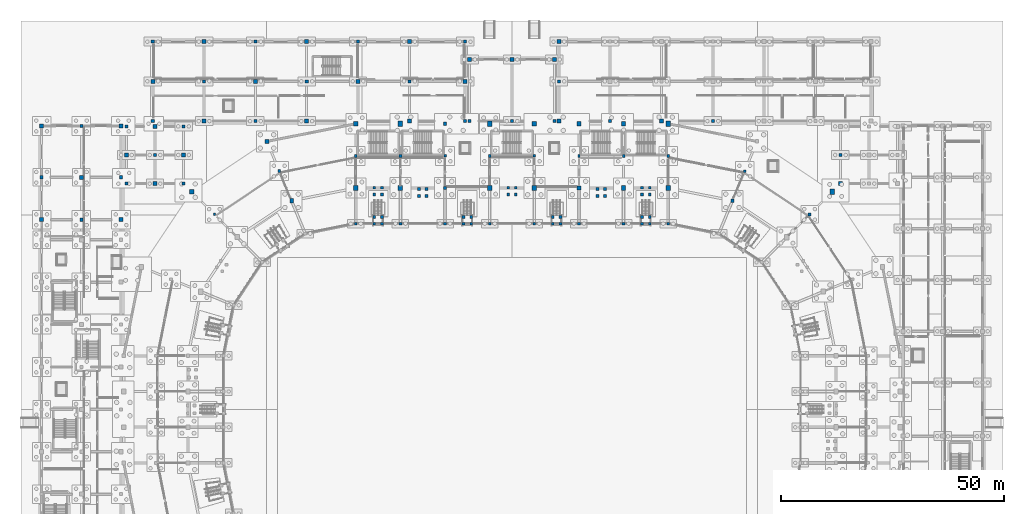
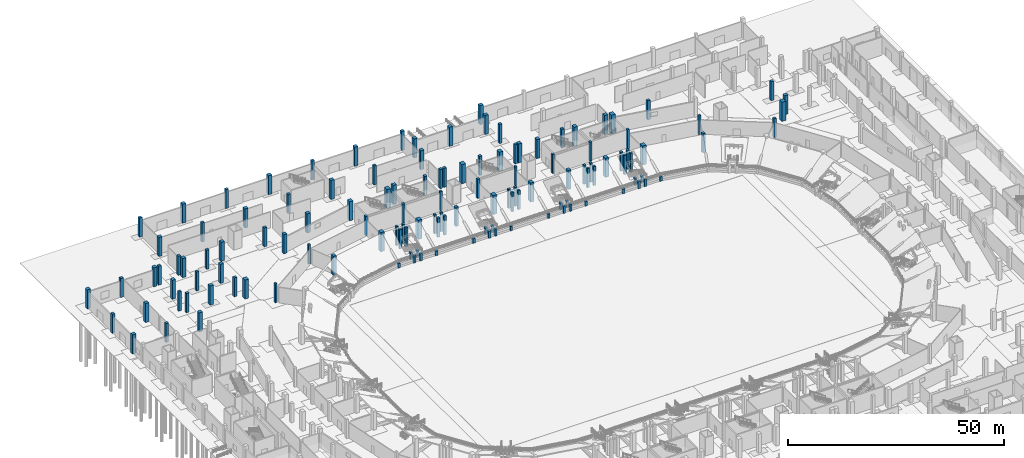
# One storey, part 17 of 68: 129 columns.
"""IFC4 building model written with IfcOpenShell, lengths in metres."""

from ifc_helpers import new_model, si_unit, direction, frame, origin, origin_2d, place, context, subcontext, project, spatial, rectangle, extrude, material, material_profile, profile_set, type_object, element, save


model = new_model("IFC4")

# Units and contexts
model_context = context("Model", 3, precision=1e-05, world=origin(), true_north=direction((0.0, 1.0)))
body_context = subcontext(model_context, "Body", "Model", "MODEL_VIEW")
ifc_project = project(units=[si_unit("LENGTHUNIT", "METRE"), si_unit("AREAUNIT", "SQUARE_METRE"), si_unit("VOLUMEUNIT", "CUBIC_METRE"), si_unit("PLANEANGLEUNIT", "RADIAN"), si_unit("MASSUNIT", "GRAM", prefix="KILO")], contexts=[model_context])

# Site, building, storey
site_placement = place(None, origin())
site = spatial("IfcSite", under=ifc_project, at=site_placement, CompositionType="ELEMENT")
building_placement = place(site_placement, origin())
building = spatial("IfcBuilding", under=site, at=building_placement, Name="Candeia Ridge Stadium", CompositionType="ELEMENT")
storey_placement = place(building_placement, origin())
storey = spatial("IfcBuildingStorey", under=building, at=storey_placement, Name="L00", CompositionType="ELEMENT", Elevation=0.0)

# Columns
ifc_material_1 = material(Name="Concrete C45/55", Category="concrete")
ifc_material_profile_1 = material_profile(ifc_material_1, rectangle(XDim=1.0, YDim=1.199951171875, at=origin_2d()), Name="RC1000x1200", Category="concrete")
ifc_profile_set_1 = profile_set([ifc_material_profile_1], Name="Concrete C45/55")
column_type_1 = type_object("IfcColumnType", Name="Bowl Spine Column RC1000x1200", PredefinedType="COLUMN", material=ifc_profile_set_1)
for number, where, z_axis, x_axis, name in (
    (1, (141.0, 132.60009765625, 0.0), (0.0, 0.0, 1.0), (1.0, 0.0, 0.0), "Structural column BC-MD-00 L00"),
    (2, (141.0, 147.0, 0.0), (0.0, 0.0, 1.0), (1.0, 0.0, 0.0), "Structural column BC-OU-00 L00"),
    (3, (101.0, 132.60009765625, 0.0), (0.0, 0.0, 1.0), (1.0, 0.0, 0.0), "Structural column BC-MD-04 L00"),
    (4, (101.0, 147.0, 0.0), (0.0, 0.0, 1.0), (1.0, 0.0, 0.0), "Structural column BC-OU-04 L00"),
    (5, (81.0, 132.60009765625, 0.0), (0.0, 0.0, 1.0), (1.0, 0.0, 0.0), "Structural column BC-MD-06 L00"),
    (6, (81.0, 147.0, 0.0), (0.0, 0.0, 1.0), (1.0, 0.0, 0.0), "Structural column BC-OU-06 L00"),
    (7, (177.76953125, 131.76953125, 0.0), (0.0, 0.0, 1.0), (1.0, 0.0, 0.0), "Structural column BC-OU-34 L00"),
):
    element("IfcColumn", number, at=place(storey_placement, frame(where, z_axis=z_axis, x_axis=x_axis)), inside=storey, type_object=column_type_1, Name=name, PredefinedType="COLUMN", context=body_context, shape_type="SweptSolid", body=[
        extrude(rectangle(XDim=1.0, YDim=1.199951171875, at=origin_2d()), origin(), (0.0, 0.0, 1.0), 5.39990234375),
    ])
ifc_material_profile_2 = material_profile(ifc_material_1, rectangle(XDim=0.89990234375, YDim=0.89990234375, at=origin_2d()), Name="RC900x900", Category="concrete")
ifc_profile_set_2 = profile_set([ifc_material_profile_2], Name="Concrete C45/55")
column_type_2 = type_object("IfcColumnType", Name="Bowl Spine Column RC900x900", PredefinedType="COLUMN", material=ifc_profile_set_2)
for number, where, z_axis, x_axis, name in (
    (8, (0.60009765625, 125.5, 0.0), (0.0, 0.0, 1.0), (1.0, 0.0, 0.0), "Structural column WP-00-12 L00"),
    (9, (0.60009765625, 146.5, 0.0), (0.0, 0.0, 1.0), (1.0, 0.0, 0.0), "Structural column WP-00-14 L00"),
    (10, (9.5, 135.0, 0.0), (0.0, 0.0, 1.0), (1.0, 0.0, 0.0), "Structural column WP-01-13 L00"),
    (11, (18.39990234375, 125.5, 0.0), (0.0, 0.0, 1.0), (1.0, 0.0, 0.0), "Structural column WP-02-12 L00"),
    (12, (18.39990234375, 146.5, 0.0), (0.0, 0.0, 1.0), (1.0, 0.0, 0.0), "Structural column WP-02-14 L00"),
    (13, (25.5, 156.5, 0.0), (0.0, 0.0, 1.0), (1.0, 0.0, 0.0), "Structural column NWW-00-01 L00"),
    (14, (37.0, 147.60009765625, 0.0), (0.0, 0.0, 1.0), (1.0, 0.0, 0.0), "Structural column NWW-01-00 L00"),
    (15, (37.0, 165.39990234375, 0.0), (0.0, 0.0, 1.0), (1.0, 0.0, 0.0), "Structural column NWW-01-02 L00"),
    (16, (48.5, 156.5, 0.0), (0.0, 0.0, 1.0), (1.0, 0.0, 0.0), "Structural column NWW-02-01 L00"),
    (17, (60.0, 147.60009765625, 0.0), (0.0, 0.0, 1.0), (1.0, 0.0, 0.0), "Structural column NWW-03-00 L00"),
    (18, (60.0, 165.39990234375, 0.0), (0.0, 0.0, 1.0), (1.0, 0.0, 0.0), "Structural column NWW-03-02 L00"),
    (19, (71.5, 156.5, 0.0), (0.0, 0.0, 1.0), (1.0, 0.0, 0.0), "Structural column NWW-04-01 L00"),
    (20, (83.0, 147.60009765625, 0.0), (0.0, 0.0, 1.0), (1.0, 0.0, 0.0), "Structural column NWW-05-00 L00"),
    (21, (83.0, 165.39990234375, 0.0), (0.0, 0.0, 1.0), (1.0, 0.0, 0.0), "Structural column NWW-05-02 L00"),
    (22, (95.5, 156.5, 0.0), (0.0, 0.0, 1.0), (1.0, 0.0, 0.0), "Structural column NWW-06-01 L00"),
    (23, (116.5, 147.60009765625, 0.0), (0.0, 0.0, 1.0), (1.0, 0.0, 0.0), "Structural column NWE-00-00 L00"),
    (24, (116.5, 165.39990234375, 0.0), (0.0, 0.0, 1.0), (1.0, 0.0, 0.0), "Structural column NWE-00-02 L00"),
    (25, (139.5, 147.60009765625, 0.0), (0.0, 0.0, 1.0), (1.0, 0.0, 0.0), "Structural column NWE-02-00 L00"),
    (26, (96.5, 161.39990234375, 0.0), (0.0, 0.0, 1.0), (1.0, 0.0, 0.0), "Structural column NG-00-01 L00"),
    (27, (106.0, 161.39990234375, 0.0), (0.0, 0.0, 1.0), (1.0, 0.0, 0.0), "Structural column NG-01-01 L00"),
    (28, (115.5, 161.39990234375, 0.0), (0.0, 0.0, 1.0), (1.0, 0.0, 0.0), "Structural column NG-02-01 L00"),
    (29, (19.60009765625, 140.0, 0.0), (0.0, 0.0, 1.0), (1.0, 0.0, 0.0), "Structural column SPNW-00-01 L00"),
    (30, (26.0, 133.60009765625, 0.0), (0.0, 0.0, 1.0), (1.0, 0.0, 0.0), "Structural column SPNW-01-00 L00"),
    (31, (26.0, 146.39990234375, 0.0), (0.0, 0.0, 1.0), (1.0, 0.0, 0.0), "Structural column SPNW-01-02 L00"),
    (32, (32.39990234375, 140.0, 0.0), (0.0, 0.0, 1.0), (1.0, 0.0, 0.0), "Structural column SPNW-02-01 L00"),
    (33, (179.60009765625, 133.60009765625, 0.0), (0.0, 0.0, 1.0), (1.0, 0.0, 0.0), "Structural column SPNE-00-00 L00"),
):
    element("IfcColumn", number, at=place(storey_placement, frame(where, z_axis=z_axis, x_axis=x_axis)), inside=storey, type_object=column_type_2, Name=name, PredefinedType="COLUMN", context=body_context, shape_type="SweptSolid", body=[
        extrude(rectangle(XDim=0.89990234375, YDim=0.89990234375, at=origin_2d()), origin(), (0.0, 0.0, 1.0), 5.39990234375),
    ])
ifc_material_2 = material(Name="Concrete C40/50", Category="concrete")
ifc_material_profile_3 = material_profile(ifc_material_2, rectangle(XDim=0.47998046875, YDim=0.56005859375, at=origin_2d()), Name="RC480x560", Category="concrete")
ifc_profile_set_3 = profile_set([ifc_material_profile_3], Name="Concrete C40/50")
column_type_3 = type_object("IfcColumnType", Name="Graduated Frame Column RC480x560", PredefinedType="COLUMN", material=ifc_profile_set_3)
for number, where, z_axis, x_axis, name in (
    (34, (111.0, 139.800048828125, 0.0), (0.0, 0.0, 1.0), (1.0, 0.0, 0.0), "Structural column BC-M2-03 L00"),
    (35, (39.321533203125, 126.678466796875, 0.0), (0.0, 0.0, 1.0), (1.0, 0.0, 0.0), "Structural column BC-M2-09 L00"),
):
    element("IfcColumn", number, at=place(storey_placement, frame(where, z_axis=z_axis, x_axis=x_axis)), inside=storey, type_object=column_type_3, Name=name, PredefinedType="COLUMN", context=body_context, shape_type="SweptSolid", body=[
        extrude(rectangle(XDim=0.47998046875, YDim=0.56005859375, at=origin_2d()), origin(), (0.0, 0.0, 1.0), 5.39990234375),
    ])
ifc_material_profile_4 = material_profile(ifc_material_2, rectangle(XDim=0.52001953125, YDim=0.6201171875, at=origin_2d()), Name="RC520x620", Category="concrete")
ifc_profile_set_4 = profile_set([ifc_material_profile_4], Name="Concrete C40/50")
column_type_4 = type_object("IfcColumnType", Name="Graduated Frame Column RC520x620", PredefinedType="COLUMN", material=ifc_profile_set_4)
for number, where, z_axis, x_axis, name in (
    (36, (121.0, 139.800048828125, 0.0), (0.0, 0.0, 1.0), (1.0, 0.0, 0.0), "Structural column BC-M2-02 L00"),
    (37, (53.855712890625, 136.389892578125, 0.0), (0.0, 0.0, 1.0), (1.0, 0.0, 0.0), "Structural column BC-M2-08 L00"),
):
    element("IfcColumn", number, at=place(storey_placement, frame(where, z_axis=z_axis, x_axis=x_axis)), inside=storey, type_object=column_type_4, Name=name, PredefinedType="COLUMN", context=body_context, shape_type="SweptSolid", body=[
        extrude(rectangle(XDim=0.52001953125, YDim=0.6201171875, at=origin_2d()), origin(), (0.0, 0.0, 1.0), 5.39990234375),
    ])
ifc_material_profile_5 = material_profile(ifc_material_2, rectangle(XDim=0.580078125, YDim=0.580078125, at=origin_2d()), Name="RC580x580", Category="concrete")
ifc_profile_set_5 = profile_set([ifc_material_profile_5], Name="Concrete C40/50")
column_type_5 = type_object("IfcColumnType", Name="Graduated Frame Column RC580x580", PredefinedType="COLUMN", material=ifc_profile_set_5)
for number, where, z_axis, x_axis, name in (
    (38, (91.0, 139.800048828125, 0.0), (0.0, 0.0, 1.0), (1.0, 0.0, 0.0), "Structural column BC-M2-05 L00"),
    (39, (158.144287109375, 136.389892578125, 0.0), (0.0, 0.0, 1.0), (1.0, 0.0, 0.0), "Structural column BC-M2-35 L00"),
):
    element("IfcColumn", number, at=place(storey_placement, frame(where, z_axis=z_axis, x_axis=x_axis)), inside=storey, type_object=column_type_5, Name=name, PredefinedType="COLUMN", context=body_context, shape_type="SweptSolid", body=[
        extrude(rectangle(XDim=0.580078125, YDim=0.580078125, at=origin_2d()), origin(), (0.0, 0.0, 1.0), 5.39990234375),
    ])
ifc_material_profile_6 = material_profile(ifc_material_2, rectangle(XDim=0.580078125, YDim=0.679931640625, at=origin_2d()), Name="RC580x680", Category="concrete")
ifc_profile_set_6 = profile_set([ifc_material_profile_6], Name="Concrete C40/50")
column_type_6 = type_object("IfcColumnType", Name="Graduated Frame Column RC580x680", PredefinedType="COLUMN", material=ifc_profile_set_6)
for number, where, z_axis, x_axis, name in (
    (40, (131.0, 139.800048828125, 0.0), (0.0, 0.0, 1.0), (1.0, 0.0, 0.0), "Structural column BC-M2-01 L00"),
    (41, (71.0, 139.800048828125, 0.0), (0.0, 0.0, 1.0), (1.0, 0.0, 0.0), "Structural column BC-M2-07 L00"),
):
    element("IfcColumn", number, at=place(storey_placement, frame(where, z_axis=z_axis, x_axis=x_axis)), inside=storey, type_object=column_type_6, Name=name, PredefinedType="COLUMN", context=body_context, shape_type="SweptSolid", body=[
        extrude(rectangle(XDim=0.580078125, YDim=0.679931640625, at=origin_2d()), origin(), (0.0, 0.0, 1.0), 5.39990234375),
    ])
ifc_material_profile_7 = material_profile(ifc_material_2, rectangle(XDim=0.6201171875, YDim=0.6201171875, at=origin_2d()), Name="RC620x620", Category="concrete")
ifc_profile_set_7 = profile_set([ifc_material_profile_7], Name="Concrete C40/50")
column_type_7 = type_object("IfcColumnType", Name="Graduated Frame Column RC620x620", PredefinedType="COLUMN", material=ifc_profile_set_7)
for number, where, z_axis, x_axis, name in (
    (42, (101.0, 139.800048828125, 0.0), (0.0, 0.0, 1.0), (1.0, 0.0, 0.0), "Structural column BC-M2-04 L00"),
    (43, (172.678466796875, 126.678466796875, 0.0), (0.0, 0.0, 1.0), (1.0, 0.0, 0.0), "Structural column BC-M2-34 L00"),
):
    element("IfcColumn", number, at=place(storey_placement, frame(where, z_axis=z_axis, x_axis=x_axis)), inside=storey, type_object=column_type_7, Name=name, PredefinedType="COLUMN", context=body_context, shape_type="SweptSolid", body=[
        extrude(rectangle(XDim=0.6201171875, YDim=0.6201171875, at=origin_2d()), origin(), (0.0, 0.0, 1.0), 5.39990234375),
    ])
ifc_material_profile_8 = material_profile(ifc_material_2, rectangle(XDim=0.6201171875, YDim=0.719970703125, at=origin_2d()), Name="RC620x720", Category="concrete")
ifc_profile_set_8 = profile_set([ifc_material_profile_8], Name="Concrete C40/50")
column_type_8 = type_object("IfcColumnType", Name="Graduated Frame Column RC620x720", PredefinedType="COLUMN", material=ifc_profile_set_8)
for number, where, z_axis, x_axis, name in (
    (44, (141.0, 139.800048828125, 0.0), (0.0, 0.0, 1.0), (1.0, 0.0, 0.0), "Structural column BC-M2-00 L00"),
    (45, (81.0, 139.800048828125, 0.0), (0.0, 0.0, 1.0), (1.0, 0.0, 0.0), "Structural column BC-M2-06 L00"),
):
    element("IfcColumn", number, at=place(storey_placement, frame(where, z_axis=z_axis, x_axis=x_axis)), inside=storey, type_object=column_type_8, Name=name, PredefinedType="COLUMN", context=body_context, shape_type="SweptSolid", body=[
        extrude(rectangle(XDim=0.6201171875, YDim=0.719970703125, at=origin_2d()), origin(), (0.0, 0.0, 1.0), 5.39990234375),
    ])
ifc_material_profile_9 = material_profile(ifc_material_2, rectangle(XDim=0.679931640625, YDim=0.760009765625, at=origin_2d()), Name="RC680x760", Category="concrete")
ifc_profile_set_9 = profile_set([ifc_material_profile_9], Name="Concrete C40/50")
column_type_9 = type_object("IfcColumnType", Name="Graduated Frame Column RC680x760", PredefinedType="COLUMN", material=ifc_profile_set_9)
for number, where, z_axis, x_axis, name in (
    (46, (91.0, 132.60009765625, 0.0), (0.0, 0.0, 1.0), (1.0, 0.0, 0.0), "Structural column BC-MD-05 L00"),
    (47, (91.0, 147.0, 0.0), (0.0, 0.0, 1.0), (1.0, 0.0, 0.0), "Structural column BC-OU-05 L00"),
    (48, (155.388916015625, 129.73779296875, 0.0), (0.0, 0.0, 1.0), (1.0, 0.0, 0.0), "Structural column BC-MD-35 L00"),
):
    element("IfcColumn", number, at=place(storey_placement, frame(where, z_axis=z_axis, x_axis=x_axis)), inside=storey, type_object=column_type_9, Name=name, PredefinedType="COLUMN", context=body_context, shape_type="SweptSolid", body=[
        extrude(rectangle(XDim=0.679931640625, YDim=0.760009765625, at=origin_2d()), origin(), (0.0, 0.0, 1.0), 5.39990234375),
    ])
ifc_material_profile_10 = material_profile(ifc_material_1, rectangle(XDim=0.820068359375, YDim=0.949951171875, at=origin_2d()), Name="RC820x950", Category="concrete")
ifc_profile_set_10 = profile_set([ifc_material_profile_10], Name="Concrete C45/55")
column_type_10 = type_object("IfcColumnType", Name="Graduated Frame Column RC820x950", PredefinedType="COLUMN", material=ifc_profile_set_10)
for number, where, z_axis, x_axis, name in (
    (49, (121.0, 132.60009765625, 0.0), (0.0, 0.0, 1.0), (1.0, 0.0, 0.0), "Structural column BC-MD-02 L00"),
    (50, (121.0, 147.0, 0.0), (0.0, 0.0, 1.0), (1.0, 0.0, 0.0), "Structural column BC-OU-02 L00"),
    (51, (56.611083984375, 129.73779296875, 0.0), (0.0, 0.0, 1.0), (1.0, 0.0, 0.0), "Structural column BC-MD-08 L00"),
    (52, (51.100341796875, 143.041748046875, 0.0), (0.0, 0.0, 1.0), (1.0, 0.0, 0.0), "Structural column BC-OU-08 L00"),
):
    element("IfcColumn", number, at=place(storey_placement, frame(where, z_axis=z_axis, x_axis=x_axis)), inside=storey, type_object=column_type_10, Name=name, PredefinedType="COLUMN", context=body_context, shape_type="SweptSolid", body=[
        extrude(rectangle(XDim=0.820068359375, YDim=0.949951171875, at=origin_2d()), origin(), (0.0, 0.0, 1.0), 5.39990234375),
    ])
ifc_material_profile_11 = material_profile(ifc_material_1, rectangle(XDim=0.949951171875, YDim=1.10009765625, at=origin_2d()), Name="RC950x1100", Category="concrete")
ifc_profile_set_11 = profile_set([ifc_material_profile_11], Name="Concrete C45/55")
column_type_11 = type_object("IfcColumnType", Name="Reinforced Concrete Column RC950x1100", PredefinedType="COLUMN", material=ifc_profile_set_11)
for number, where, z_axis, x_axis, name in (
    (53, (131.0, 132.60009765625, 0.0), (0.0, 0.0, 1.0), (1.0, 0.0, 0.0), "Structural column BC-MD-01 L00"),
    (54, (131.0, 147.0, 0.0), (0.0, 0.0, 1.0), (1.0, 0.0, 0.0), "Structural column BC-OU-01 L00"),
    (55, (111.0, 132.60009765625, 0.0), (0.0, 0.0, 1.0), (1.0, 0.0, 0.0), "Structural column BC-MD-03 L00"),
    (56, (111.0, 147.0, 0.0), (0.0, 0.0, 1.0), (1.0, 0.0, 0.0), "Structural column BC-OU-03 L00"),
    (57, (71.0, 132.60009765625, 0.0), (0.0, 0.0, 1.0), (1.0, 0.0, 0.0), "Structural column BC-MD-07 L00"),
    (58, (71.0, 147.0, 0.0), (0.0, 0.0, 1.0), (1.0, 0.0, 0.0), "Structural column BC-OU-07 L00"),
    (59, (34.23046875, 131.76953125, 0.0), (0.0, 0.0, 1.0), (1.0, 0.0, 0.0), "Structural column BC-OU-09 L00"),
):
    element("IfcColumn", number, at=place(storey_placement, frame(where, z_axis=z_axis, x_axis=x_axis)), inside=storey, type_object=column_type_11, Name=name, PredefinedType="COLUMN", context=body_context, shape_type="SweptSolid", body=[
        extrude(rectangle(XDim=0.949951171875, YDim=1.10009765625, at=origin_2d()), origin(), (0.0, 0.0, 1.0), 5.39990234375),
    ])
ifc_material_profile_12 = material_profile(ifc_material_2, rectangle(XDim=0.60009765625, YDim=0.60009765625, at=origin_2d()), Name="RC600x600", Category="concrete")
ifc_profile_set_12 = profile_set([ifc_material_profile_12], Name="Concrete C40/50")
column_type_12 = type_object("IfcColumnType", Name="Wing Column RC600x600", PredefinedType="COLUMN", material=ifc_profile_set_12)
for number, where, z_axis, x_axis, name in (
    (60, (141.0, 124.60009765625, 0.0), (0.0, 0.0, 1.0), (1.0, 0.0, 0.0), "Inner stand support column BC-IN-00"),
    (61, (131.0, 124.60009765625, 0.0), (0.0, 0.0, 1.0), (1.0, 0.0, 0.0), "Inner stand support column BC-IN-01"),
    (62, (121.0, 124.60009765625, 0.0), (0.0, 0.0, 1.0), (1.0, 0.0, 0.0), "Inner stand support column BC-IN-02"),
    (63, (111.0, 124.60009765625, 0.0), (0.0, 0.0, 1.0), (1.0, 0.0, 0.0), "Inner stand support column BC-IN-03"),
    (64, (101.0, 124.60009765625, 0.0), (0.0, 0.0, 1.0), (1.0, 0.0, 0.0), "Inner stand support column BC-IN-04"),
    (65, (91.0, 124.60009765625, 0.0), (0.0, 0.0, 1.0), (1.0, 0.0, 0.0), "Inner stand support column BC-IN-05"),
    (66, (81.0, 124.60009765625, 0.0), (0.0, 0.0, 1.0), (1.0, 0.0, 0.0), "Inner stand support column BC-IN-06"),
    (67, (71.0, 124.60009765625, 0.0), (0.0, 0.0, 1.0), (1.0, 0.0, 0.0), "Inner stand support column BC-IN-07"),
):
    element("IfcColumn", number, at=place(storey_placement, frame(where, z_axis=z_axis, x_axis=x_axis)), inside=storey, type_object=column_type_12, Name=name, PredefinedType="COLUMN", context=body_context, shape_type="SweptSolid", body=[
        extrude(rectangle(XDim=0.60009765625, YDim=0.60009765625, at=origin_2d()), origin(), (0.0, 0.0, 1.0), 1.25),
    ])
for number, where, z_axis, x_axis, name in (
    (68, (135.14990234375, 126.1220703125, 0.0), (0.0, 0.0, 1.0), (1.0, 0.0, 0.0), "Vomitory VS01 landing support column 1 L00"),
    (69, (135.14990234375, 124.572021484375, 0.0), (0.0, 0.0, 1.0), (1.0, 0.0, 0.0), "Vomitory VS01 landing support column 2 L00"),
    (70, (136.85009765625, 124.572021484375, 0.0), (0.0, 0.0, 1.0), (1.0, 0.0, 0.0), "Vomitory VS01 landing support column 3 L00"),
    (71, (136.85009765625, 126.1220703125, 0.0), (0.0, 0.0, 1.0), (1.0, 0.0, 0.0), "Vomitory VS01 landing support column 4 L00"),
    (72, (115.14990234375, 126.1220703125, 0.0), (0.0, 0.0, 1.0), (1.0, 0.0, 0.0), "Vomitory VS02 landing support column 1 L00"),
    (73, (115.14990234375, 124.572021484375, 0.0), (0.0, 0.0, 1.0), (1.0, 0.0, 0.0), "Vomitory VS02 landing support column 2 L00"),
    (74, (116.85009765625, 124.572021484375, 0.0), (0.0, 0.0, 1.0), (1.0, 0.0, 0.0), "Vomitory VS02 landing support column 3 L00"),
    (75, (116.85009765625, 126.1220703125, 0.0), (0.0, 0.0, 1.0), (1.0, 0.0, 0.0), "Vomitory VS02 landing support column 4 L00"),
    (76, (95.14990234375, 126.1220703125, 0.0), (0.0, 0.0, 1.0), (1.0, 0.0, 0.0), "Vomitory VS03 landing support column 1 L00"),
    (77, (95.14990234375, 124.572021484375, 0.0), (0.0, 0.0, 1.0), (1.0, 0.0, 0.0), "Vomitory VS03 landing support column 2 L00"),
    (78, (96.85009765625, 124.572021484375, 0.0), (0.0, 0.0, 1.0), (1.0, 0.0, 0.0), "Vomitory VS03 landing support column 3 L00"),
    (79, (96.85009765625, 126.1220703125, 0.0), (0.0, 0.0, 1.0), (1.0, 0.0, 0.0), "Vomitory VS03 landing support column 4 L00"),
    (80, (75.14990234375, 126.1220703125, 0.0), (0.0, 0.0, 1.0), (1.0, 0.0, 0.0), "Vomitory VS04 landing support column 1 L00"),
    (81, (75.14990234375, 124.572021484375, 0.0), (0.0, 0.0, 1.0), (1.0, 0.0, 0.0), "Vomitory VS04 landing support column 2 L00"),
    (82, (76.85009765625, 124.572021484375, 0.0), (0.0, 0.0, 1.0), (1.0, 0.0, 0.0), "Vomitory VS04 landing support column 3 L00"),
    (83, (76.85009765625, 126.1220703125, 0.0), (0.0, 0.0, 1.0), (1.0, 0.0, 0.0), "Vomitory VS04 landing support column 4 L00"),
):
    element("IfcColumn", number, at=place(storey_placement, frame(where, z_axis=z_axis, x_axis=x_axis)), inside=storey, type_object=column_type_12, Name=name, PredefinedType="COLUMN", context=body_context, shape_type="SweptSolid", body=[
        extrude(rectangle(XDim=0.60009765625, YDim=0.60009765625, at=origin_2d()), origin(), (0.0, 0.0, 1.0), 2.0400390625),
    ])
for number, where, z_axis, x_axis, name in (
    (84, (125.14990234375, 132.3701171875, 0.0), (0.0, 0.0, 1.0), (1.0, 0.0, 0.0), "Vomitory VS19 landing support column 1 L00"),
    (85, (125.14990234375, 130.820068359375, 0.0), (0.0, 0.0, 1.0), (1.0, 0.0, 0.0), "Vomitory VS19 landing support column 2 L00"),
    (86, (126.85009765625, 130.820068359375, 0.0), (0.0, 0.0, 1.0), (1.0, 0.0, 0.0), "Vomitory VS19 landing support column 3 L00"),
    (87, (126.85009765625, 132.3701171875, 0.0), (0.0, 0.0, 1.0), (1.0, 0.0, 0.0), "Vomitory VS19 landing support column 4 L00"),
    (88, (85.14990234375, 132.3701171875, 0.0), (0.0, 0.0, 1.0), (1.0, 0.0, 0.0), "Vomitory VS20 landing support column 1 L00"),
    (89, (85.14990234375, 130.820068359375, 0.0), (0.0, 0.0, 1.0), (1.0, 0.0, 0.0), "Vomitory VS20 landing support column 2 L00"),
    (90, (86.85009765625, 130.820068359375, 0.0), (0.0, 0.0, 1.0), (1.0, 0.0, 0.0), "Vomitory VS20 landing support column 3 L00"),
    (91, (86.85009765625, 132.3701171875, 0.0), (0.0, 0.0, 1.0), (1.0, 0.0, 0.0), "Vomitory VS20 landing support column 4 L00"),
    (92, (135.14990234375, 132.681884765625, 0.0), (0.0, 0.0, 1.0), (1.0, 0.0, 0.0), "Vomitory VS25 landing support column 1 L00"),
    (93, (135.14990234375, 131.132080078125, 0.0), (0.0, 0.0, 1.0), (1.0, 0.0, 0.0), "Vomitory VS25 landing support column 2 L00"),
    (94, (136.85009765625, 131.132080078125, 0.0), (0.0, 0.0, 1.0), (1.0, 0.0, 0.0), "Vomitory VS25 landing support column 3 L00"),
    (95, (136.85009765625, 132.681884765625, 0.0), (0.0, 0.0, 1.0), (1.0, 0.0, 0.0), "Vomitory VS25 landing support column 4 L00"),
    (96, (105.14990234375, 132.681884765625, 0.0), (0.0, 0.0, 1.0), (1.0, 0.0, 0.0), "Vomitory VS26 landing support column 1 L00"),
    (97, (105.14990234375, 131.132080078125, 0.0), (0.0, 0.0, 1.0), (1.0, 0.0, 0.0), "Vomitory VS26 landing support column 2 L00"),
    (98, (106.85009765625, 131.132080078125, 0.0), (0.0, 0.0, 1.0), (1.0, 0.0, 0.0), "Vomitory VS26 landing support column 3 L00"),
    (99, (106.85009765625, 132.681884765625, 0.0), (0.0, 0.0, 1.0), (1.0, 0.0, 0.0), "Vomitory VS26 landing support column 4 L00"),
    (100, (75.14990234375, 132.681884765625, 0.0), (0.0, 0.0, 1.0), (1.0, 0.0, 0.0), "Vomitory VS27 landing support column 1 L00"),
    (101, (75.14990234375, 131.132080078125, 0.0), (0.0, 0.0, 1.0), (1.0, 0.0, 0.0), "Vomitory VS27 landing support column 2 L00"),
    (102, (76.85009765625, 131.132080078125, 0.0), (0.0, 0.0, 1.0), (1.0, 0.0, 0.0), "Vomitory VS27 landing support column 3 L00"),
    (103, (76.85009765625, 132.681884765625, 0.0), (0.0, 0.0, 1.0), (1.0, 0.0, 0.0), "Vomitory VS27 landing support column 4 L00"),
):
    element("IfcColumn", number, at=place(storey_placement, frame(where, z_axis=z_axis, x_axis=x_axis)), inside=storey, type_object=column_type_12, Name=name, PredefinedType="COLUMN", context=body_context, shape_type="SweptSolid", body=[
        extrude(rectangle(XDim=0.60009765625, YDim=0.60009765625, at=origin_2d()), origin(), (0.0, 0.0, 1.0), 5.39990234375),
    ])
ifc_material_profile_13 = material_profile(ifc_material_2, rectangle(XDim=0.699951171875, YDim=0.699951171875, at=origin_2d()), Name="RC700x700", Category="concrete")
ifc_profile_set_13 = profile_set([ifc_material_profile_13], Name="Concrete C40/50")
column_type_13 = type_object("IfcColumnType", Name="Wing Column RC700x700", PredefinedType="COLUMN", material=ifc_profile_set_13)
for number, where, z_axis, x_axis, name in (
    (104, (0.60009765625, 135.0, 0.0), (0.0, 0.0, 1.0), (1.0, 0.0, 0.0), "Structural column WP-00-13 L00"),
    (105, (9.5, 125.5, 0.0), (0.0, 0.0, 1.0), (1.0, 0.0, 0.0), "Structural column WP-01-12 L00"),
    (106, (9.5, 146.5, 0.0), (0.0, 0.0, 1.0), (1.0, 0.0, 0.0), "Structural column WP-01-14 L00"),
    (107, (18.39990234375, 135.0, 0.0), (0.0, 0.0, 1.0), (1.0, 0.0, 0.0), "Structural column WP-02-13 L00"),
    (108, (25.5, 147.60009765625, 0.0), (0.0, 0.0, 1.0), (1.0, 0.0, 0.0), "Structural column NWW-00-00 L00"),
    (109, (25.5, 165.39990234375, 0.0), (0.0, 0.0, 1.0), (1.0, 0.0, 0.0), "Structural column NWW-00-02 L00"),
    (110, (37.0, 156.5, 0.0), (0.0, 0.0, 1.0), (1.0, 0.0, 0.0), "Structural column NWW-01-01 L00"),
    (111, (48.5, 147.60009765625, 0.0), (0.0, 0.0, 1.0), (1.0, 0.0, 0.0), "Structural column NWW-02-00 L00"),
    (112, (48.5, 165.39990234375, 0.0), (0.0, 0.0, 1.0), (1.0, 0.0, 0.0), "Structural column NWW-02-02 L00"),
    (113, (60.0, 156.5, 0.0), (0.0, 0.0, 1.0), (1.0, 0.0, 0.0), "Structural column NWW-03-01 L00"),
    (114, (71.5, 165.39990234375, 0.0), (0.0, 0.0, 1.0), (1.0, 0.0, 0.0), "Structural column NWW-04-02 L00"),
    (115, (83.0, 156.5, 0.0), (0.0, 0.0, 1.0), (1.0, 0.0, 0.0), "Structural column NWW-05-01 L00"),
    (116, (95.5, 147.60009765625, 0.0), (0.0, 0.0, 1.0), (1.0, 0.0, 0.0), "Structural column NWW-06-00 L00"),
    (117, (95.5, 165.39990234375, 0.0), (0.0, 0.0, 1.0), (1.0, 0.0, 0.0), "Structural column NWW-06-02 L00"),
    (118, (116.5, 156.5, 0.0), (0.0, 0.0, 1.0), (1.0, 0.0, 0.0), "Structural column NWE-00-01 L00"),
    (119, (128.0, 147.60009765625, 0.0), (0.0, 0.0, 1.0), (1.0, 0.0, 0.0), "Structural column NWE-01-00 L00"),
    (120, (151.0, 147.60009765625, 0.0), (0.0, 0.0, 1.0), (1.0, 0.0, 0.0), "Structural column NWE-03-00 L00"),
    (121, (96.5, 147.60009765625, 0.0), (0.0, 0.0, 1.0), (1.0, 0.0, 0.0), "Structural column NG-00-00 L00"),
    (122, (106.0, 147.60009765625, 0.0), (0.0, 0.0, 1.0), (1.0, 0.0, 0.0), "Structural column NG-01-00 L00"),
    (123, (115.5, 147.60009765625, 0.0), (0.0, 0.0, 1.0), (1.0, 0.0, 0.0), "Structural column NG-02-00 L00"),
    (124, (19.60009765625, 133.60009765625, 0.0), (0.0, 0.0, 1.0), (1.0, 0.0, 0.0), "Structural column SPNW-00-00 L00"),
    (125, (19.60009765625, 146.39990234375, 0.0), (0.0, 0.0, 1.0), (1.0, 0.0, 0.0), "Structural column SPNW-00-02 L00"),
    (126, (26.0, 140.0, 0.0), (0.0, 0.0, 1.0), (1.0, 0.0, 0.0), "Structural column SPNW-01-01 L00"),
    (127, (32.39990234375, 133.60009765625, 0.0), (0.0, 0.0, 1.0), (1.0, 0.0, 0.0), "Structural column SPNW-02-00 L00"),
    (128, (32.39990234375, 146.39990234375, 0.0), (0.0, 0.0, 1.0), (1.0, 0.0, 0.0), "Structural column SPNW-02-02 L00"),
    (129, (179.60009765625, 140.0, 0.0), (0.0, 0.0, 1.0), (1.0, 0.0, 0.0), "Structural column SPNE-00-01 L00"),
):
    element("IfcColumn", number, at=place(storey_placement, frame(where, z_axis=z_axis, x_axis=x_axis)), inside=storey, type_object=column_type_13, Name=name, PredefinedType="COLUMN", context=body_context, shape_type="SweptSolid", body=[
        extrude(rectangle(XDim=0.699951171875, YDim=0.699951171875, at=origin_2d()), origin(), (0.0, 0.0, 1.0), 5.39990234375),
    ])

save(model, "model.ifc")
